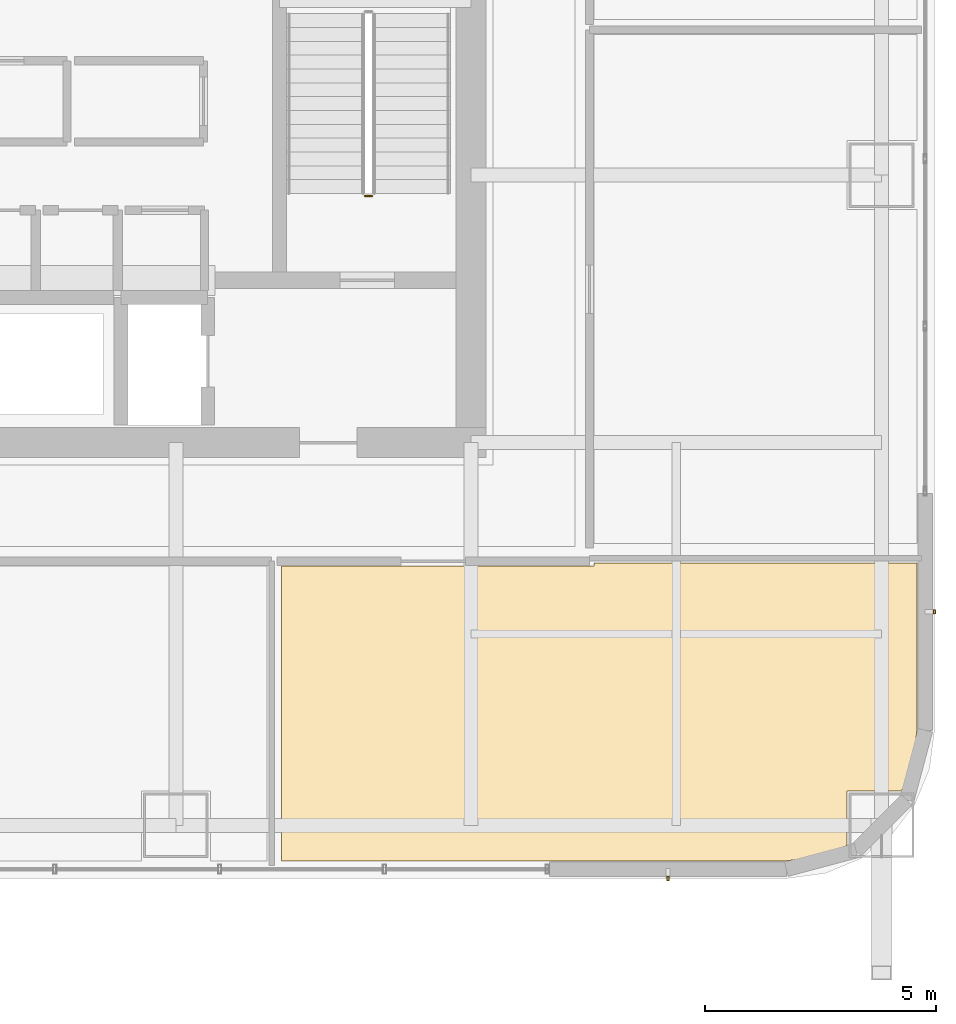
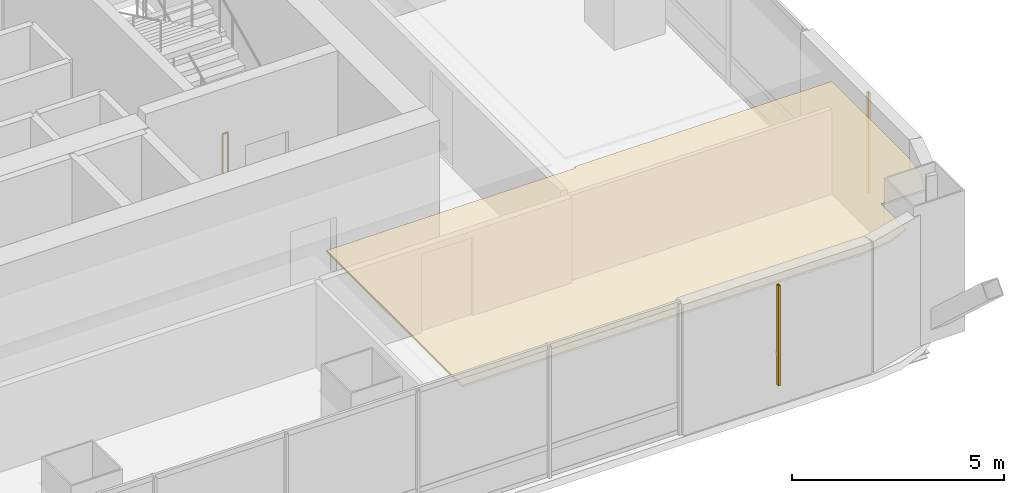
# One storey, part 43 of 47: 2 shading devices, 1 covering, 1 railing.
"""IFC4 building model written with IfcOpenShell, lengths in metres."""

from ifc_helpers import new_model, si_unit, direction, frame, origin, origin_2d, place, context, subcontext, project, spatial, polyline, hollow_rectangle, circle, outline, extrude, material, layer, layer_set, material_profile, profile_set, type_object, element, save


model = new_model("IFC4")

# Units and contexts
model_context = context("Model", 3, precision=1e-05, world=origin(), true_north=direction((0.0, 1.0)))
body_context = subcontext(model_context, "Body", "Model", "MODEL_VIEW")
ifc_project = project(units=[si_unit("LENGTHUNIT", "METRE"), si_unit("AREAUNIT", "SQUARE_METRE"), si_unit("VOLUMEUNIT", "CUBIC_METRE"), si_unit("PLANEANGLEUNIT", "RADIAN"), si_unit("MASSUNIT", "GRAM", prefix="KILO")], contexts=[model_context])

# Site, building, storey
site_placement = place(None, origin())
site = spatial("IfcSite", under=ifc_project, at=site_placement, CompositionType="ELEMENT")
building_placement = place(site_placement, origin())
building = spatial("IfcBuilding", under=site, at=building_placement, Name="Punatoya Terracotta Tower", CompositionType="ELEMENT")
storey_placement = place(building_placement, frame((0.0, 0.0, 168.14990234375)))
storey = spatial("IfcBuildingStorey", under=building, at=storey_placement, Name="L39", CompositionType="ELEMENT", Elevation=168.14990234375)

# Covering
ifc_material_1 = material(Name="Acoustic Mineral Fibre Ceiling")
ifc_layer = layer(ifc_material_1, 0.06005859375)
ifc_layer_set = layer_set([ifc_layer], Name="Acoustic Mineral Fibre Ceiling")
covering_type = type_object("IfcCoveringType", Name="COV-CEIL-60", PredefinedType="CEILING", material=ifc_layer_set)
covering_placement = place(storey_placement, frame((0.0, 0.0, 3.22021484375)))
element("IfcCovering", 1, at=covering_placement, inside=storey, type_object=covering_type, Name="L39 Open-Plan Cultural History Classroom Acoustic Ceiling", PredefinedType="CEILING", context=body_context, shape_type="SweptSolid", body=[
    extrude(outline(polyline([(12.8701171875, -11.8701171875), (6.093994140625, -11.8701171875), (6.093994140625, -18.27001953125), (17.025146484375, -18.27001953125), (17.779052734375, -18.1708984375), (18.35009765625, -17.934326171875), (18.35009765625, -16.75), (19.5341796875, -16.75), (19.770751953125, -16.178955078125), (19.8701171875, -15.425048828125), (19.8701171875, -11.81005859375), (12.8701171875, -11.81005859375), (12.8701171875, -11.8701171875)])), origin(), (0.0, 0.0, 1.0), 0.059814453125),
])

# Railing
ifc_material_2 = material(Name="Steel S355", Category="steel")
railing_type = type_object("IfcRailingType", Name="RLG-GRD-1150", PredefinedType="GUARDRAIL", material=ifc_material_2)
railing_placement = place(storey_placement, frame((8.050048828125, -3.85009765625, 0.0)))
element("IfcRailing", 2, at=railing_placement, inside=storey, type_object=railing_type, Name="L39 ST-2 stair guard 4", PredefinedType="GUARDRAIL", context=body_context, shape_type="SweptSolid", body=[
    extrude(circle(Radius=0.02392578125, at=origin_2d()), frame((0.0, 0.0, 1.1259765625), z_axis=(-1.0, 0.0, 0.0), x_axis=(0.0, -1.0, 0.0)), (0.0, 0.0, 1.0), 0.150146484375),
    extrude(circle(Radius=0.02099609375, at=origin_2d()), origin(), (0.0, 0.0, 1.0), 1.101806640625),
    extrude(circle(Radius=0.02099609375, at=origin_2d()), frame((-0.150146484375, 0.0, 0.0)), (0.0, 0.0, 1.0), 1.101806640625),
])

# Shading devices
ifc_material_3 = material(Name="Architectural Fired Terracotta", Category="masonry")
ifc_material_profile = material_profile(ifc_material_3, hollow_rectangle(XDim=0.06005859375, YDim=0.090087890625, WallThickness=0.013916015625, at=origin_2d()))
ifc_profile_set = profile_set([ifc_material_profile], Name="Architectural Fired Terracotta")
shading_device_type = type_object("IfcShadingDeviceType", Name="SHD-JALI-90", PredefinedType="JALOUSIE", material=ifc_profile_set)
for number, where, z_axis, x_axis, name in (
    (3, (14.468505859375, -18.64990234375, 0.60009765625), (0.0, 0.0, 1.0), (1.0, 0.0, 0.0), "L39 Braced Bay Terracotta Jali Fin S2"),
    (4, (20.25, -12.868408203125, 0.60009765625), (0.0, 0.0, 1.0), (1.0, 0.0, 0.0), "L39 Braced Bay Terracotta Jali Fin E1"),
):
    element("IfcShadingDevice", number, at=place(storey_placement, frame(where, z_axis=z_axis, x_axis=x_axis)), inside=storey, type_object=shading_device_type, Name=name, PredefinedType="JALOUSIE", context=body_context, shape_type="SweptSolid", body=[
        extrude(hollow_rectangle(XDim=0.06005859375, YDim=0.090087890625, WallThickness=0.013916015625, at=origin_2d()), origin(), (0.0, 0.0, 1.0), 2.8701171875),
    ])

save(model, "model.ifc")
